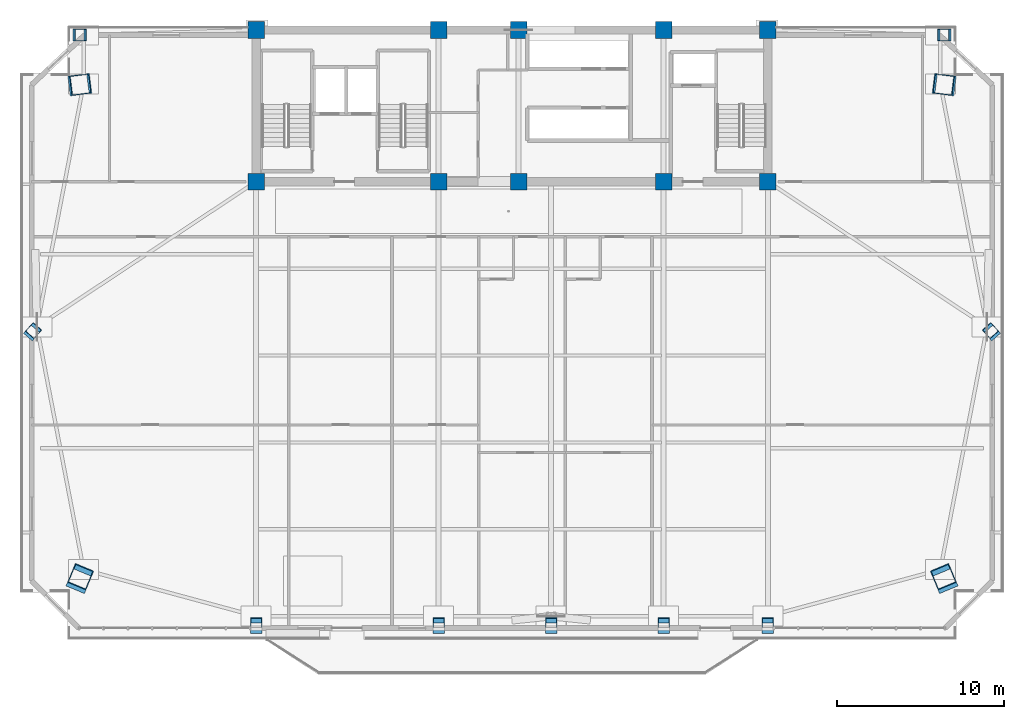
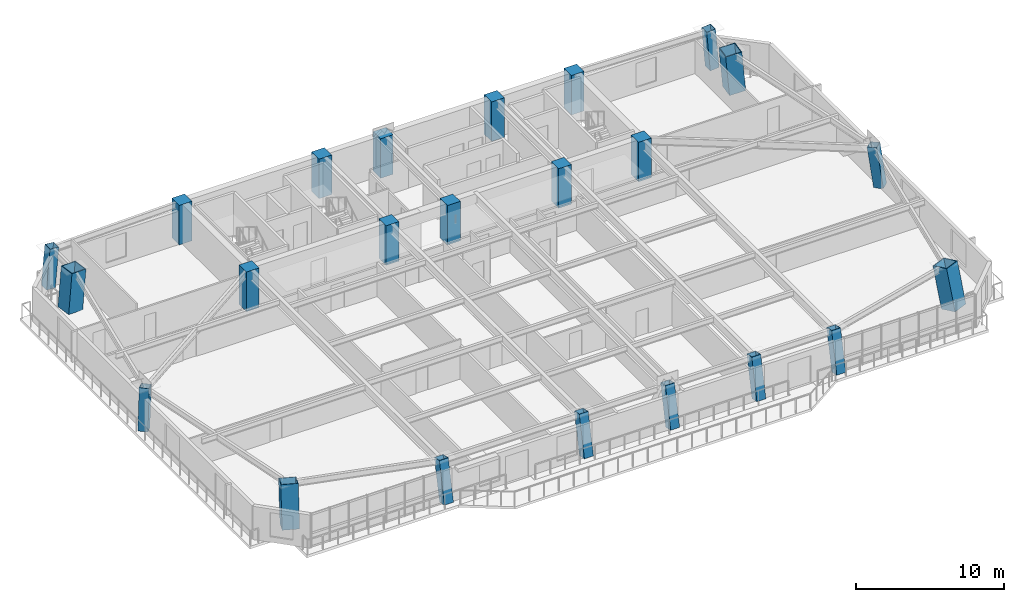
# One storey, part 1 of 16: 23 columns.
"""IFC4 building model written with IfcOpenShell, lengths in metres."""

from ifc_helpers import new_model, si_unit, direction, frame, origin, origin_2d, place, context, subcontext, project, spatial, rectangle, hollow_rectangle, extrude, source, transform, mapped, material, material_profile, profile_set, type_object, element, save


model = new_model("IFC4")

# Units and contexts
model_context = context("Model", 3, precision=1e-05, world=origin(), true_north=direction((0.0, 1.0)))
body_context = subcontext(model_context, "Body", "Model", "MODEL_VIEW")
ifc_project = project(units=[si_unit("LENGTHUNIT", "METRE"), si_unit("AREAUNIT", "SQUARE_METRE"), si_unit("VOLUMEUNIT", "CUBIC_METRE"), si_unit("PLANEANGLEUNIT", "RADIAN"), si_unit("MASSUNIT", "GRAM", prefix="KILO")], contexts=[model_context])

# Site, building, storey
site_placement = place(None, origin())
site = spatial("IfcSite", under=ifc_project, at=site_placement, CompositionType="ELEMENT")
building_placement = place(site_placement, origin())
building = spatial("IfcBuilding", under=site, at=building_placement, Name="Giltprow Tower", CompositionType="ELEMENT")
storey_placement = place(building_placement, frame((0.0, 0.0, 199.199951171875)))
storey = spatial("IfcBuildingStorey", under=building, at=storey_placement, Name="L50", CompositionType="ELEMENT", Elevation=199.199951171875)

# Columns
ifc_material_1 = material(Name="Concrete C50", Category="concrete")
ifc_material_profile_1 = material_profile(ifc_material_1, rectangle(XDim=1.0, YDim=1.0, at=origin_2d()), Name="RC 1000x1000")
ifc_profile_set_1 = profile_set([ifc_material_profile_1], Name="Concrete C50")
column_type_1 = type_object("IfcColumnType", Name="PIL-RC-1000-C50", PredefinedType="PILASTER", material=ifc_profile_set_1)
shared_shape_1 = source(origin(), body_context, "Body", "SweptSolid", [
    extrude(rectangle(XDim=1.0, YDim=1.0, at=origin_2d()), origin(), (0.0, 0.0, 1.0), 3.27001953125),
])
for number, where, z_axis, x_axis, name in (
    (1, (19.85009765625, 37.449951171875, 0.0), (0.0, 0.0, 1.0), (1.0, 0.0, 0.0), "L50 Core Boundary Pilaster 1-1"),
    (2, (19.85009765625, 46.550048828125, 0.0), (0.0, 0.0, 1.0), (1.0, 0.0, 0.0), "L50 Core Boundary Pilaster 1-2"),
    (3, (30.800048828125, 37.449951171875, 0.0), (0.0, 0.0, 1.0), (1.0, 0.0, 0.0), "L50 Core Boundary Pilaster 2-1"),
    (4, (30.800048828125, 46.550048828125, 0.0), (0.0, 0.0, 1.0), (1.0, 0.0, 0.0), "L50 Core Boundary Pilaster 2-2"),
    (5, (35.60009765625, 37.449951171875, 0.0), (0.0, 0.0, 1.0), (1.0, 0.0, 0.0), "L50 Core Boundary Pilaster 3-1"),
    (6, (35.60009765625, 46.550048828125, 0.0), (0.0, 0.0, 1.0), (1.0, 0.0, 0.0), "L50 Core Boundary Pilaster 3-2"),
    (7, (44.300048828125, 37.449951171875, 0.0), (0.0, 0.0, 1.0), (1.0, 0.0, 0.0), "L50 Core Boundary Pilaster 4-1"),
    (8, (44.300048828125, 46.550048828125, 0.0), (0.0, 0.0, 1.0), (1.0, 0.0, 0.0), "L50 Core Boundary Pilaster 4-2"),
    (9, (50.550048828125, 37.449951171875, 0.0), (0.0, 0.0, 1.0), (1.0, 0.0, 0.0), "L50 Core Boundary Pilaster 5-1"),
    (10, (50.550048828125, 46.550048828125, 0.0), (0.0, 0.0, 1.0), (1.0, 0.0, 0.0), "L50 Core Boundary Pilaster 5-2"),
):
    element("IfcColumn", number, at=place(storey_placement, frame(where, z_axis=z_axis, x_axis=x_axis)), inside=storey, type_object=column_type_1, Name=name, PredefinedType="PILASTER", context=body_context, shape_type="MappedRepresentation", body=[
        mapped(shared_shape_1, transform((0.0, 0.0, 0.0), x_axis=(1.0, 0.0, 0.0), y_axis=(0.0, 1.0, 0.0), z_axis=(0.0, 0.0, 1.0), scale=1.0)),
    ])
ifc_material_2 = material(Name="Structural steel Q420GJC", Category="steel")
ifc_material_profile_2 = material_profile(ifc_material_2, hollow_rectangle(XDim=1.199951171875, YDim=1.199951171875, WallThickness=0.054931640625, at=origin_2d()), Name="BOX 1200x1200x55")
ifc_profile_set_2 = profile_set([ifc_material_profile_2], Name="Structural steel Q420GJC")
column_type_2 = type_object("IfcColumnType", Name="COL-BOX-1200x1200x55", PredefinedType="COLUMN", material=ifc_profile_set_2)
shared_shape_2 = source(origin(), body_context, "Body", "SweptSolid", [
    extrude(hollow_rectangle(XDim=1.199951171875, YDim=1.199951171875, WallThickness=0.054931640625, at=origin_2d()), origin(), (0.0, 0.0, 1.0), 3.349853515625),
])
for number, where, z_axis, x_axis, name in (
    (11, (9.22412109375, 13.514892578125, 0.0), (0.083231287776, 0.200352723378, 0.976182021434), (-0.923483899489, 0.383637181963, 0.0), "L50 Mega-Column MC_SW"),
    (12, (61.177001953125, 13.514892578125, 0.0), (-0.08330366427, 0.200351507504, 0.97617609731), (-0.923364854607, -0.383923619067, 0.0), "L50 Mega-Column MC_SE"),
):
    element("IfcColumn", number, at=place(storey_placement, frame(where, z_axis=z_axis, x_axis=x_axis)), inside=storey, type_object=column_type_2, Name=name, PredefinedType="COLUMN", context=body_context, shape_type="MappedRepresentation", body=[
        mapped(shared_shape_2, transform((0.0, 0.0, 0.0), x_axis=(1.0, 0.0, 0.0), y_axis=(0.0, 1.0, 0.0), z_axis=(0.0, 0.0, 1.0), scale=1.0)),
    ])
shared_shape_3 = source(origin(), body_context, "Body", "SweptSolid", [
    extrude(hollow_rectangle(XDim=1.199951171875, YDim=1.199951171875, WallThickness=0.054931640625, at=origin_2d()), origin(), (0.0, 0.0, 1.0), 3.281982421875),
])
for number, where, z_axis, x_axis, name in (
    (13, (9.22412109375, 43.264892578125, 0.0), (0.084948951981, 0.010711601651, 0.996327725775), (-0.125103926908, 0.99214364256, 0.0), "L50 Mega-Column MC_NW"),
    (14, (61.177001953125, 43.264892578125, 0.0), (-0.085022800609, 0.010711533935, 0.99632142726), (-0.124996185477, -0.992157222226, 0.0), "L50 Mega-Column MC_NE"),
):
    element("IfcColumn", number, at=place(storey_placement, frame(where, z_axis=z_axis, x_axis=x_axis)), inside=storey, type_object=column_type_2, Name=name, PredefinedType="COLUMN", context=body_context, shape_type="MappedRepresentation", body=[
        mapped(shared_shape_3, transform((0.0, 0.0, 0.0), x_axis=(1.0, 0.0, 0.0), y_axis=(0.0, 1.0, 0.0), z_axis=(0.0, 0.0, 1.0), scale=1.0)),
    ])
ifc_material_profile_3 = material_profile(ifc_material_2, hollow_rectangle(XDim=0.699951171875, YDim=0.699951171875, WallThickness=0.031982421875, at=origin_2d()), Name="BOX 700x700x32")
ifc_profile_set_3 = profile_set([ifc_material_profile_3], Name="Structural steel Q420GJC")
column_type_3 = type_object("IfcColumnType", Name="COL-BOX-700x700x32", PredefinedType="COLUMN", material=ifc_profile_set_3)
shared_shape_4 = source(origin(), body_context, "Body", "SweptSolid", [
    extrude(hollow_rectangle(XDim=0.699951171875, YDim=0.699951171875, WallThickness=0.031982421875, at=origin_2d()), origin(), (0.0, 0.0, 1.0), 3.345458984375),
])
for number, where, z_axis, x_axis, name in (
    (15, (19.85009765625, 10.679931640625, 0.0), (0.0, 0.211053907144, 0.977474423338), (-1.0, 0.0, 0.0), "L50 Perimeter Column S1"),
    (16, (30.800048828125, 10.679931640625, 0.0), (0.0, 0.211053907144, 0.977474423338), (-1.0, 0.0, 0.0), "L50 Perimeter Column S2"),
    (17, (37.550048828125, 10.679931640625, 0.0), (0.0, 0.211053907144, 0.977474423338), (-1.0, 0.0, 0.0), "L50 Perimeter Column S_MID"),
    (18, (44.300048828125, 10.679931640625, 0.0), (0.0, 0.211053907144, 0.977474423338), (-1.0, 0.0, 0.0), "L50 Perimeter Column S3"),
    (19, (50.550048828125, 10.679931640625, 0.0), (0.0, 0.211053907144, 0.977474423338), (-1.0, 0.0, 0.0), "L50 Perimeter Column S4"),
):
    element("IfcColumn", number, at=place(storey_placement, frame(where, z_axis=z_axis, x_axis=x_axis)), inside=storey, type_object=column_type_3, Name=name, PredefinedType="COLUMN", context=body_context, shape_type="MappedRepresentation", body=[
        mapped(shared_shape_4, transform((0.0, 0.0, 0.0), x_axis=(1.0, 0.0, 0.0), y_axis=(0.0, 1.0, 0.0), z_axis=(0.0, 0.0, 1.0), scale=1.0)),
    ])
shared_shape_5 = source(origin(), body_context, "Body", "SweptSolid", [
    extrude(hollow_rectangle(XDim=0.699951171875, YDim=0.699951171875, WallThickness=0.031982421875, at=origin_2d()), origin(), (0.0, 0.0, 1.0), 3.303955078125),
])
for number, where, z_axis, x_axis, name in (
    (20, (6.388916015625, 28.389892578125, 0.0), (0.095026488821, 0.106849380121, 0.989723787928), (-0.747238227779, 0.664556266199, 0.0), "L50 Perimeter Column W_MID"),
    (21, (64.011962890625, 28.389892578125, 0.0), (-0.095026488821, 0.106849380121, 0.989723787928), (-0.747238227779, -0.664556266199, 0.0), "L50 Perimeter Column E_MID"),
):
    element("IfcColumn", number, at=place(storey_placement, frame(where, z_axis=z_axis, x_axis=x_axis)), inside=storey, type_object=column_type_3, Name=name, PredefinedType="COLUMN", context=body_context, shape_type="MappedRepresentation", body=[
        mapped(shared_shape_5, transform((0.0, 0.0, 0.0), x_axis=(1.0, 0.0, 0.0), y_axis=(0.0, 1.0, 0.0), z_axis=(0.0, 0.0, 1.0), scale=1.0)),
    ])
shared_shape_6 = source(origin(), body_context, "Body", "SweptSolid", [
    extrude(hollow_rectangle(XDim=0.699951171875, YDim=0.699951171875, WallThickness=0.031982421875, at=origin_2d()), origin(), (0.0, 0.0, 1.0), 3.281982421875),
])
for number, where, z_axis, x_axis, name in (
    (22, (9.22412109375, 46.25, 0.0), (0.084953825854, 0.0, 0.996384889223), (0.0, 1.0, 0.0), "L50 Perimeter Column N_W"),
    (23, (61.177001953125, 46.25, 0.0), (-0.085027678658, 0.0, 0.996378589624), (0.0, -1.0, 0.0), "L50 Perimeter Column N_E"),
):
    element("IfcColumn", number, at=place(storey_placement, frame(where, z_axis=z_axis, x_axis=x_axis)), inside=storey, type_object=column_type_3, Name=name, PredefinedType="COLUMN", context=body_context, shape_type="MappedRepresentation", body=[
        mapped(shared_shape_6, transform((0.0, 0.0, 0.0), x_axis=(1.0, 0.0, 0.0), y_axis=(0.0, 1.0, 0.0), z_axis=(0.0, 0.0, 1.0), scale=1.0)),
    ])

save(model, "model.ifc")
